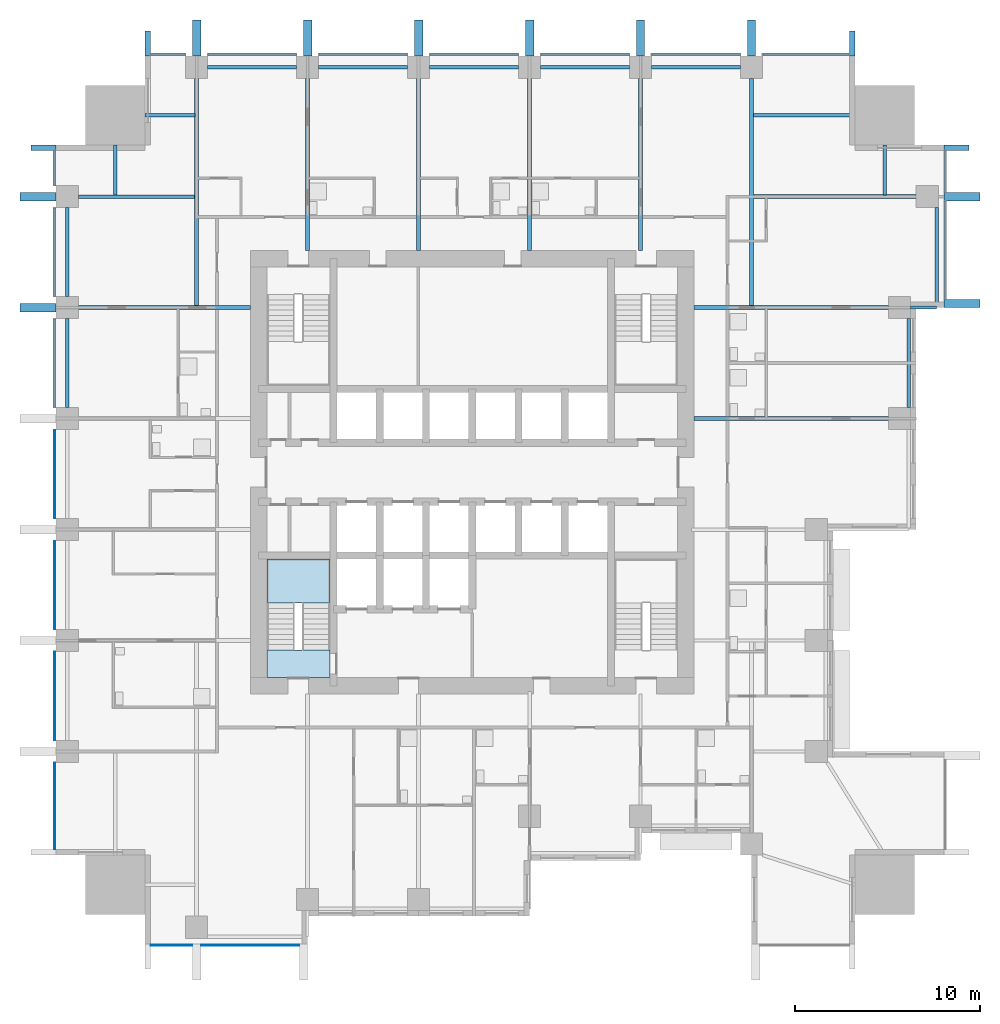
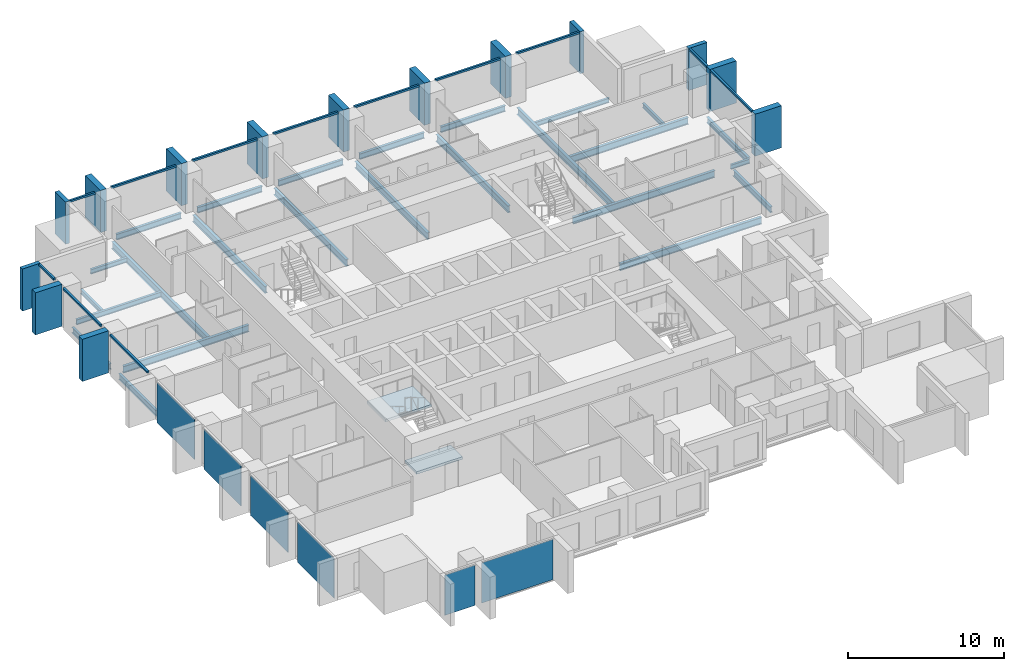
# One storey, part 2 of 10: 26 members, 25 beams, 6 plates, 2 slabs, 5 elements without a shape of their own.
"""IFC4 building model written with IfcOpenShell, lengths in metres."""

from ifc_helpers import new_model, si_unit, direction, frame, origin, origin_2d, place, context, subcontext, project, spatial, polyline, rectangle, i_section, outline, extrude, material, layer, layer_set, material_profile, profile_set, type_object, element, aggregate, save


model = new_model("IFC4")

# Units and contexts
model_context = context("Model", 3, precision=1e-05, world=origin(), true_north=direction((0.0, 1.0)))
body_context = subcontext(model_context, "Body", "Model", "MODEL_VIEW")
ifc_project = project(units=[si_unit("LENGTHUNIT", "METRE"), si_unit("AREAUNIT", "SQUARE_METRE"), si_unit("VOLUMEUNIT", "CUBIC_METRE"), si_unit("PLANEANGLEUNIT", "RADIAN"), si_unit("MASSUNIT", "GRAM", prefix="KILO")], contexts=[model_context])

# Site, building, storey
site_placement = place(None, origin())
site = spatial("IfcSite", under=ifc_project, at=site_placement, CompositionType="ELEMENT")
building_placement = place(site_placement, origin())
building = spatial("IfcBuilding", under=site, at=building_placement, Name="Amberfall Residences", CompositionType="ELEMENT")
storey_placement = place(building_placement, frame((0.0, 0.0, 63.10009765625)))
storey = spatial("IfcBuildingStorey", under=building, at=storey_placement, Name="L17", CompositionType="ELEMENT", Elevation=63.10009765625)

# Curtain wall, members
ifc_material_1 = material(Name="Bronze anodised aluminium and glass", Category="aluminium")
curtain_wall_type = type_object("IfcCurtainWallType", Name="Curtain wall CW1 tower unit", PredefinedType="USERDEFINED", material=ifc_material_1)
curtain_wall_1_placement = place(storey_placement, origin())
curtain_wall_1 = element("IfcCurtainWall", 1, at=curtain_wall_1_placement, inside=storey, type_object=curtain_wall_type, Name="Curtain wall L17 E E9", ObjectType="UNITISED CURTAIN WALL", PredefinedType="USERDEFINED")
ifc_material_2 = material(Name="Bronze anodised aluminium", Category="aluminium")
ifc_material_profile_1 = material_profile(ifc_material_2, rectangle(XDim=0.14990234375, YDim=0.14990234375, at=origin_2d()), Name="CW1 transom 150 x 150 bronze")
ifc_profile_set_1 = profile_set([ifc_material_profile_1], Name="Bronze anodised aluminium")
member_type_1 = type_object("IfcMemberType", Name="CW1 transom 150 x 150 bronze", PredefinedType="USERDEFINED", material=ifc_profile_set_1)
member_1_placement = place(storey_placement, frame((100.074951171875, 54.85009765625, 2.974853515625), z_axis=(0.0, 1.0, 0.0), x_axis=(-1.0, 0.0, 0.0)))
member_1 = element("IfcMember", 2, at=member_1_placement, type_object=member_type_1, Name="CW1 transom 1.1", ObjectType="TRANSOM", PredefinedType="USERDEFINED", context=body_context, shape_type="SweptSolid", body=[
    extrude(rectangle(XDim=0.14990234375, YDim=0.14990234375, at=origin_2d()), origin(), (0.0, 0.0, 1.0), 5.324951171875),
])
member_2_placement = place(storey_placement, frame((100.074951171875, 60.625, 2.974853515625), z_axis=(0.0, 1.0, 0.0), x_axis=(-1.0, 0.0, 0.0)))
member_2 = element("IfcMember", 3, at=member_2_placement, type_object=member_type_1, Name="CW1 transom 2.1", ObjectType="TRANSOM", PredefinedType="USERDEFINED", context=body_context, shape_type="SweptSolid", body=[
    extrude(rectangle(XDim=0.14990234375, YDim=0.14990234375, at=origin_2d()), origin(), (0.0, 0.0, 1.0), 2.27490234375),
])

curtain_wall_2_placement = place(storey_placement, origin())
curtain_wall_2 = element("IfcCurtainWall", 4, at=curtain_wall_2_placement, inside=storey, type_object=curtain_wall_type, Name="Curtain wall L17 N N1", ObjectType="UNITISED CURTAIN WALL", PredefinedType="USERDEFINED")
member_3_placement = place(storey_placement, frame((94.89990234375, 68.074951171875, 2.974853515625), z_axis=(-1.0, 0.0, 0.0), x_axis=(0.0, -1.0, 0.0)))
member_3 = element("IfcMember", 5, at=member_3_placement, type_object=member_type_1, Name="CW1 transom 1.1", ObjectType="TRANSOM", PredefinedType="USERDEFINED", context=body_context, shape_type="SweptSolid", body=[
    extrude(rectangle(XDim=0.14990234375, YDim=0.14990234375, at=origin_2d()), origin(), (0.0, 0.0, 1.0), 4.69482421875),
])
member_4_placement = place(storey_placement, frame((88.9951171875, 68.074951171875, 2.974853515625), z_axis=(-1.0, 0.0, 0.0), x_axis=(0.0, -1.0, 0.0)))
member_4 = element("IfcMember", 6, at=member_4_placement, type_object=member_type_1, Name="CW1 transom 2.1", ObjectType="TRANSOM", PredefinedType="USERDEFINED", context=body_context, shape_type="SweptSolid", body=[
    extrude(rectangle(XDim=0.14990234375, YDim=0.14990234375, at=origin_2d()), origin(), (0.0, 0.0, 1.0), 4.7900390625),
])
member_5_placement = place(storey_placement, frame((82.9951171875, 68.074951171875, 2.974853515625), z_axis=(-1.0, 0.0, 0.0), x_axis=(0.0, -1.0, 0.0)))
member_5 = element("IfcMember", 7, at=member_5_placement, type_object=member_type_1, Name="CW1 transom 3.1", ObjectType="TRANSOM", PredefinedType="USERDEFINED", context=body_context, shape_type="SweptSolid", body=[
    extrude(rectangle(XDim=0.14990234375, YDim=0.14990234375, at=origin_2d()), origin(), (0.0, 0.0, 1.0), 4.7900390625),
])
member_6_placement = place(storey_placement, frame((76.9951171875, 68.074951171875, 2.974853515625), z_axis=(-1.0, 0.0, 0.0), x_axis=(0.0, -1.0, 0.0)))
member_6 = element("IfcMember", 8, at=member_6_placement, type_object=member_type_1, Name="CW1 transom 4.1", ObjectType="TRANSOM", PredefinedType="USERDEFINED", context=body_context, shape_type="SweptSolid", body=[
    extrude(rectangle(XDim=0.14990234375, YDim=0.14990234375, at=origin_2d()), origin(), (0.0, 0.0, 1.0), 4.7900390625),
])
member_7_placement = place(storey_placement, frame((70.9951171875, 68.074951171875, 2.974853515625), z_axis=(-1.0, 0.0, 0.0), x_axis=(0.0, -1.0, 0.0)))
member_7 = element("IfcMember", 9, at=member_7_placement, type_object=member_type_1, Name="CW1 transom 5.1", ObjectType="TRANSOM", PredefinedType="USERDEFINED", context=body_context, shape_type="SweptSolid", body=[
    extrude(rectangle(XDim=0.14990234375, YDim=0.14990234375, at=origin_2d()), origin(), (0.0, 0.0, 1.0), 4.7900390625),
])
member_8_placement = place(storey_placement, frame((64.9951171875, 68.074951171875, 2.974853515625), z_axis=(-1.0, 0.0, 0.0), x_axis=(0.0, -1.0, 0.0)))
member_8 = element("IfcMember", 10, at=member_8_placement, type_object=member_type_1, Name="CW1 transom 6.1", ObjectType="TRANSOM", PredefinedType="USERDEFINED", context=body_context, shape_type="SweptSolid", body=[
    extrude(rectangle(XDim=0.14990234375, YDim=0.14990234375, at=origin_2d()), origin(), (0.0, 0.0, 1.0), 4.7900390625),
])
member_9_placement = place(storey_placement, frame((58.9951171875, 68.074951171875, 2.974853515625), z_axis=(-1.0, 0.0, 0.0), x_axis=(0.0, -1.0, 0.0)))
member_9 = element("IfcMember", 11, at=member_9_placement, type_object=member_type_1, Name="CW1 transom 7.1", ObjectType="TRANSOM", PredefinedType="USERDEFINED", context=body_context, shape_type="SweptSolid", body=[
    extrude(rectangle(XDim=0.14990234375, YDim=0.14990234375, at=origin_2d()), origin(), (0.0, 0.0, 1.0), 1.89501953125),
])

curtain_wall_3_placement = place(storey_placement, origin())
curtain_wall_3 = element("IfcCurtainWall", 12, at=curtain_wall_3_placement, inside=storey, type_object=curtain_wall_type, Name="Curtain wall L17 W W1", ObjectType="UNITISED CURTAIN WALL", PredefinedType="USERDEFINED")
member_10_placement = place(storey_placement, frame((51.925048828125, 62.89990234375, 2.974853515625), z_axis=(0.0, -1.0, 0.0), x_axis=(1.0, 0.0, 0.0)))
member_10 = element("IfcMember", 13, at=member_10_placement, type_object=member_type_1, Name="CW1 transom 1.1", ObjectType="TRANSOM", PredefinedType="USERDEFINED", context=body_context, shape_type="SweptSolid", body=[
    extrude(rectangle(XDim=0.14990234375, YDim=0.14990234375, at=origin_2d()), origin(), (0.0, 0.0, 1.0), 1.89501953125),
])
member_11_placement = place(storey_placement, frame((51.925048828125, 59.794921875, 2.974853515625), z_axis=(0.0, -1.0, 0.0), x_axis=(1.0, 0.0, 0.0)))
member_11 = element("IfcMember", 14, at=member_11_placement, type_object=member_type_1, Name="CW1 transom 2.1", ObjectType="TRANSOM", PredefinedType="USERDEFINED", context=body_context, shape_type="SweptSolid", body=[
    extrude(rectangle(XDim=0.14990234375, YDim=0.14990234375, at=origin_2d()), origin(), (0.0, 0.0, 1.0), 4.7900390625),
])
member_12_placement = place(storey_placement, frame((51.925048828125, 53.794921875, 2.974853515625), z_axis=(0.0, -1.0, 0.0), x_axis=(1.0, 0.0, 0.0)))
member_12 = element("IfcMember", 15, at=member_12_placement, type_object=member_type_1, Name="CW1 transom 3.1", ObjectType="TRANSOM", PredefinedType="USERDEFINED", context=body_context, shape_type="SweptSolid", body=[
    extrude(rectangle(XDim=0.14990234375, YDim=0.14990234375, at=origin_2d()), origin(), (0.0, 0.0, 1.0), 4.7900390625),
])

# Beam
ifc_material_3 = material(Name="Steel S355", Category="steel")
ifc_material_profile_2 = material_profile(ifc_material_3, i_section(OverallWidth=0.171142578125, OverallDepth=0.351318359375, WebThickness=0.007080078125, FlangeThickness=0.009765625, FilletRadius=0.01025390625, at=origin_2d()), Name="UB 356x171x45")
ifc_profile_set_2 = profile_set([ifc_material_profile_2], Name="Steel S355")
beam_type_1 = type_object("IfcBeamType", Name="Cantilever girder UB 356x171x45", PredefinedType="BEAM", material=ifc_profile_set_2)
beam_1_placement = place(storey_placement, frame((98.199951171875, 54.39990234375, -0.42578125), z_axis=(1.0, 0.0, 0.0), x_axis=(0.0, 1.0, 0.0)))
element("IfcBeam", 16, at=beam_1_placement, inside=storey, type_object=beam_type_1, Name="Cantilever girder B8 L17 21", PredefinedType="BEAM", context=body_context, shape_type="SweptSolid", body=[
    extrude(i_section(OverallWidth=0.171142578125, OverallDepth=0.351318359375, WebThickness=0.007080078125, FlangeThickness=0.009765625, FilletRadius=0.01025390625, at=origin_2d()), origin(), (0.0, 0.0, 1.0), 1.400146484375),
])

# Member
ifc_material_profile_3 = material_profile(ifc_material_2, rectangle(XDim=1.35009765625, YDim=0.300048828125, at=origin_2d()), Name="Corner fin 300 x 1350 bronze")
ifc_profile_set_3 = profile_set([ifc_material_profile_3], Name="Bronze anodised aluminium")
member_type_2 = type_object("IfcMemberType", Name="Corner fin 300 x 1350 bronze", PredefinedType="MULLION", material=ifc_profile_set_3)
member_13_placement = place(storey_placement, frame((100.675048828125, 63.050048828125, -0.25), z_axis=(0.0, 0.0, 1.0), x_axis=(-1.0, 0.0, 0.0)))
member_13 = element("IfcMember", 17, at=member_13_placement, type_object=member_type_2, Name="CW FIN 3", PredefinedType="MULLION", context=body_context, shape_type="SweptSolid", body=[
    extrude(rectangle(XDim=1.35009765625, YDim=0.300048828125, at=origin_2d()), origin(), (0.0, 0.0, 1.0), 3.2998046875),
])

member_14_placement = place(storey_placement, frame((95.050048828125, 68.675048828125, -0.25), z_axis=(0.0, 0.0, 1.0), x_axis=(0.0, -1.0, 0.0)))
member_14 = element("IfcMember", 18, at=member_14_placement, type_object=member_type_2, Name="CW FIN 1", PredefinedType="MULLION", context=body_context, shape_type="SweptSolid", body=[
    extrude(rectangle(XDim=1.35009765625, YDim=0.300048828125, at=origin_2d()), origin(), (0.0, 0.0, 1.0), 3.2998046875),
])

member_15_placement = place(storey_placement, frame((56.949951171875, 68.675048828125, -0.25), z_axis=(0.0, 0.0, 1.0), x_axis=(0.0, -1.0, 0.0)))
member_15 = element("IfcMember", 19, at=member_15_placement, type_object=member_type_2, Name="CW FIN 8", PredefinedType="MULLION", context=body_context, shape_type="SweptSolid", body=[
    extrude(rectangle(XDim=1.35009765625, YDim=0.300048828125, at=origin_2d()), origin(), (0.0, 0.0, 1.0), 3.2998046875),
])

member_16_placement = place(storey_placement, frame((51.324951171875, 63.050048828125, -0.25), z_axis=(0.0, 0.0, 1.0), x_axis=(1.0, 0.0, 0.0)))
member_16 = element("IfcMember", 20, at=member_16_placement, type_object=member_type_2, Name="CW FIN 1", PredefinedType="MULLION", context=body_context, shape_type="SweptSolid", body=[
    extrude(rectangle(XDim=1.35009765625, YDim=0.300048828125, at=origin_2d()), origin(), (0.0, 0.0, 1.0), 3.2998046875),
])

# Beams
ifc_material_profile_4 = material_profile(ifc_material_3, i_section(OverallWidth=0.18994140625, OverallDepth=0.453369140625, WebThickness=0.008544921875, FlangeThickness=0.0126953125, FilletRadius=0.01025390625, at=origin_2d()), Name="UB 457x191x67")
ifc_profile_set_4 = profile_set([ifc_material_profile_4], Name="Steel S355")
beam_type_2 = type_object("IfcBeamType", Name="Edge beam UB 457x191x67", PredefinedType="SPANDREL", material=ifc_profile_set_4)
beam_2_placement = place(storey_placement, frame((98.10009765625, 49.0, -0.476806640625), z_axis=(0.0, 1.0, 0.0), x_axis=(-1.0, 0.0, 0.0)))
element("IfcBeam", 21, at=beam_2_placement, inside=storey, type_object=beam_type_2, Name="Edge beam B1 L17 18", PredefinedType="SPANDREL", context=body_context, shape_type="SweptSolid", body=[
    extrude(i_section(OverallWidth=0.18994140625, OverallDepth=0.453369140625, WebThickness=0.008544921875, FlangeThickness=0.0126953125, FilletRadius=0.01025390625, at=origin_2d()), origin(), (0.0, 0.0, 1.0), 4.800048828125),
])
beam_3_placement = place(storey_placement, frame((99.60009765625, 54.47998046875, -0.476806640625), z_axis=(0.0, 1.0, 0.0), x_axis=(-1.0, 0.0, 0.0)))
element("IfcBeam", 22, at=beam_3_placement, inside=storey, type_object=beam_type_2, Name="Edge beam B1 L17 19", PredefinedType="SPANDREL", context=body_context, shape_type="SweptSolid", body=[
    extrude(i_section(OverallWidth=0.18994140625, OverallDepth=0.453369140625, WebThickness=0.008544921875, FlangeThickness=0.0126953125, FilletRadius=0.01025390625, at=origin_2d()), origin(), (0.0, 0.0, 1.0), 5.320068359375),
])
for number, where, z_axis, x_axis, name in (
    (23, (60.199951171875, 67.39990234375, -0.476806640625), (1.0, 0.0, 0.0), (0.0, 1.0, 0.0), "Edge beam B1 L17 28"),
    (24, (66.199951171875, 67.39990234375, -0.476806640625), (1.0, 0.0, 0.0), (0.0, 1.0, 0.0), "Edge beam B1 L17 29"),
    (25, (72.199951171875, 67.39990234375, -0.476806640625), (1.0, 0.0, 0.0), (0.0, 1.0, 0.0), "Edge beam B1 L17 30"),
    (26, (78.199951171875, 67.39990234375, -0.476806640625), (1.0, 0.0, 0.0), (0.0, 1.0, 0.0), "Edge beam B1 L17 31"),
    (27, (84.199951171875, 67.39990234375, -0.476806640625), (1.0, 0.0, 0.0), (0.0, 1.0, 0.0), "Edge beam B1 L17 32"),
    (28, (52.60009765625, 49.0, -0.476806640625), (0.0, 1.0, 0.0), (-1.0, 0.0, 0.0), "Edge beam B1 L17 42"),
    (29, (52.60009765625, 55.0, -0.476806640625), (0.0, 1.0, 0.0), (-1.0, 0.0, 0.0), "Edge beam B1 L17 43"),
):
    element("IfcBeam", number, at=place(storey_placement, frame(where, z_axis=z_axis, x_axis=x_axis)), inside=storey, type_object=beam_type_2, Name=name, PredefinedType="SPANDREL", context=body_context, shape_type="SweptSolid", body=[
        extrude(i_section(OverallWidth=0.18994140625, OverallDepth=0.453369140625, WebThickness=0.008544921875, FlangeThickness=0.0126953125, FilletRadius=0.01025390625, at=origin_2d()), origin(), (0.0, 0.0, 1.0), 4.800048828125),
    ])

# Member
ifc_material_profile_5 = material_profile(ifc_material_2, rectangle(XDim=1.949951171875, YDim=0.449951171875, at=origin_2d()), Name="Fin 450 x 1950 bronze")
ifc_profile_set_5 = profile_set([ifc_material_profile_5], Name="Bronze anodised aluminium")
member_type_3 = type_object("IfcMemberType", Name="Fin 450 x 1950 bronze", PredefinedType="MULLION", material=ifc_profile_set_5)
member_17_placement = place(storey_placement, frame((100.97509765625, 54.625, -0.25), z_axis=(0.0, 0.0, 1.0), x_axis=(-1.0, 0.0, 0.0)))
member_17 = element("IfcMember", 30, at=member_17_placement, type_object=member_type_3, Name="CW FIN 1", PredefinedType="MULLION", context=body_context, shape_type="SweptSolid", body=[
    extrude(rectangle(XDim=1.949951171875, YDim=0.449951171875, at=origin_2d()), origin(), (0.0, 0.0, 1.0), 3.2998046875),
])

member_18_placement = place(storey_placement, frame((100.97509765625, 60.39990234375, -0.25), z_axis=(0.0, 0.0, 1.0), x_axis=(-1.0, 0.0, 0.0)))
member_18 = element("IfcMember", 31, at=member_18_placement, type_object=member_type_3, Name="CW FIN 2", PredefinedType="MULLION", context=body_context, shape_type="SweptSolid", body=[
    extrude(rectangle(XDim=1.949951171875, YDim=0.449951171875, at=origin_2d()), origin(), (0.0, 0.0, 1.0), 3.2998046875),
])

aggregate(curtain_wall_1, [member_17, member_18, member_13, member_1, member_2])

member_19_placement = place(storey_placement, frame((89.60009765625, 68.97509765625, -0.25), z_axis=(0.0, 0.0, 1.0), x_axis=(0.0, -1.0, 0.0)))
member_19 = element("IfcMember", 32, at=member_19_placement, type_object=member_type_3, Name="CW FIN 2", PredefinedType="MULLION", context=body_context, shape_type="SweptSolid", body=[
    extrude(rectangle(XDim=1.949951171875, YDim=0.449951171875, at=origin_2d()), origin(), (0.0, 0.0, 1.0), 3.2998046875),
])

member_20_placement = place(storey_placement, frame((83.60009765625, 68.97509765625, -0.25), z_axis=(0.0, 0.0, 1.0), x_axis=(0.0, -1.0, 0.0)))
member_20 = element("IfcMember", 33, at=member_20_placement, type_object=member_type_3, Name="CW FIN 3", PredefinedType="MULLION", context=body_context, shape_type="SweptSolid", body=[
    extrude(rectangle(XDim=1.949951171875, YDim=0.449951171875, at=origin_2d()), origin(), (0.0, 0.0, 1.0), 3.2998046875),
])

member_21_placement = place(storey_placement, frame((77.60009765625, 68.97509765625, -0.25), z_axis=(0.0, 0.0, 1.0), x_axis=(0.0, -1.0, 0.0)))
member_21 = element("IfcMember", 34, at=member_21_placement, type_object=member_type_3, Name="CW FIN 4", PredefinedType="MULLION", context=body_context, shape_type="SweptSolid", body=[
    extrude(rectangle(XDim=1.949951171875, YDim=0.449951171875, at=origin_2d()), origin(), (0.0, 0.0, 1.0), 3.2998046875),
])

member_22_placement = place(storey_placement, frame((71.60009765625, 68.97509765625, -0.25), z_axis=(0.0, 0.0, 1.0), x_axis=(0.0, -1.0, 0.0)))
member_22 = element("IfcMember", 35, at=member_22_placement, type_object=member_type_3, Name="CW FIN 5", PredefinedType="MULLION", context=body_context, shape_type="SweptSolid", body=[
    extrude(rectangle(XDim=1.949951171875, YDim=0.449951171875, at=origin_2d()), origin(), (0.0, 0.0, 1.0), 3.2998046875),
])

member_23_placement = place(storey_placement, frame((65.60009765625, 68.97509765625, -0.25), z_axis=(0.0, 0.0, 1.0), x_axis=(0.0, -1.0, 0.0)))
member_23 = element("IfcMember", 36, at=member_23_placement, type_object=member_type_3, Name="CW FIN 6", PredefinedType="MULLION", context=body_context, shape_type="SweptSolid", body=[
    extrude(rectangle(XDim=1.949951171875, YDim=0.449951171875, at=origin_2d()), origin(), (0.0, 0.0, 1.0), 3.2998046875),
])

member_24_placement = place(storey_placement, frame((59.60009765625, 68.97509765625, -0.25), z_axis=(0.0, 0.0, 1.0), x_axis=(0.0, -1.0, 0.0)))
member_24 = element("IfcMember", 37, at=member_24_placement, type_object=member_type_3, Name="CW FIN 7", PredefinedType="MULLION", context=body_context, shape_type="SweptSolid", body=[
    extrude(rectangle(XDim=1.949951171875, YDim=0.449951171875, at=origin_2d()), origin(), (0.0, 0.0, 1.0), 3.2998046875),
])

aggregate(curtain_wall_2, [member_14, member_19, member_20, member_21, member_22, member_23, member_24, member_15, member_3, member_4, member_5, member_6, member_7, member_8, member_9])

member_25_placement = place(storey_placement, frame((51.02490234375, 60.39990234375, -0.25), z_axis=(0.0, 0.0, 1.0), x_axis=(1.0, 0.0, 0.0)))
member_25 = element("IfcMember", 38, at=member_25_placement, type_object=member_type_3, Name="CW FIN 2", PredefinedType="MULLION", context=body_context, shape_type="SweptSolid", body=[
    extrude(rectangle(XDim=1.949951171875, YDim=0.449951171875, at=origin_2d()), origin(), (0.0, 0.0, 1.0), 3.2998046875),
])

member_26_placement = place(storey_placement, frame((51.02490234375, 54.39990234375, -0.25), z_axis=(0.0, 0.0, 1.0), x_axis=(1.0, 0.0, 0.0)))
member_26 = element("IfcMember", 39, at=member_26_placement, type_object=member_type_3, Name="CW FIN 3", PredefinedType="MULLION", context=body_context, shape_type="SweptSolid", body=[
    extrude(rectangle(XDim=1.949951171875, YDim=0.449951171875, at=origin_2d()), origin(), (0.0, 0.0, 1.0), 3.2998046875),
])

# Beams
ifc_material_profile_6 = material_profile(ifc_material_3, i_section(OverallWidth=0.177734375, OverallDepth=0.402587890625, WebThickness=0.0078125, FlangeThickness=0.010986328125, FilletRadius=0.01025390625, at=origin_2d()), Name="UB 406x178x54")
ifc_profile_set_6 = profile_set([ifc_material_profile_6], Name="Steel S355")
beam_type_3 = type_object("IfcBeamType", Name="Floor girder UB 406x178x54", PredefinedType="BEAM", material=ifc_profile_set_6)
beam_4_placement = place(storey_placement, frame((53.199951171875, 60.39990234375, -0.451416015625), z_axis=(1.0, 0.0, 0.0), x_axis=(0.0, 1.0, 0.0)))
element("IfcBeam", 40, at=beam_4_placement, inside=storey, type_object=beam_type_3, Name="Floor girder B4 L17 49", PredefinedType="BEAM", context=body_context, shape_type="SweptSolid", body=[
    extrude(i_section(OverallWidth=0.177734375, OverallDepth=0.402587890625, WebThickness=0.0078125, FlangeThickness=0.010986328125, FilletRadius=0.01025390625, at=origin_2d()), origin(), (0.0, 0.0, 1.0), 6.280029296875),
])
ifc_material_profile_7 = material_profile(ifc_material_3, i_section(OverallWidth=0.210693359375, OverallDepth=0.53955078125, WebThickness=0.01171875, FlangeThickness=0.018798828125, FilletRadius=0.0126953125, at=origin_2d()), Name="UB 533x210x109")
ifc_profile_set_7 = profile_set([ifc_material_profile_7], Name="Steel S355")
beam_type_4 = type_object("IfcBeamType", Name="Floor girder UB 533x210x109", PredefinedType="BEAM", material=ifc_profile_set_7)
for number, where, z_axis, x_axis, name in (
    (41, (59.60009765625, 66.800048828125, -0.519775390625), (0.0, -1.0, 0.0), (1.0, 0.0, 0.0), "Floor girder B2 L17 33"),
    (42, (89.60009765625, 66.800048828125, -0.519775390625), (0.0, -1.0, 0.0), (1.0, 0.0, 0.0), "Floor girder B2 L17 38"),
):
    element("IfcBeam", number, at=place(storey_placement, frame(where, z_axis=z_axis, x_axis=x_axis)), inside=storey, type_object=beam_type_4, Name=name, PredefinedType="BEAM", context=body_context, shape_type="SweptSolid", body=[
        extrude(i_section(OverallWidth=0.210693359375, OverallDepth=0.53955078125, WebThickness=0.01171875, FlangeThickness=0.018798828125, FilletRadius=0.0126953125, at=origin_2d()), origin(), (0.0, 0.0, 1.0), 12.300537109375),
    ])
ifc_material_profile_8 = material_profile(ifc_material_3, i_section(OverallWidth=0.209228515625, OverallDepth=0.533203125, WebThickness=0.010009765625, FlangeThickness=0.015625, FilletRadius=0.0126953125, at=origin_2d()), Name="UB 533x210x92")
ifc_profile_set_8 = profile_set([ifc_material_profile_8], Name="Steel S355")
beam_type_5 = type_object("IfcBeamType", Name="Floor girder UB 533x210x92", PredefinedType="BEAM", material=ifc_profile_set_8)
for number, where, z_axis, x_axis, name in (
    (43, (97.0, 48.39990234375, -0.5166015625), (-1.0, 0.0, 0.0), (0.0, -1.0, 0.0), "Floor girder B3 L17 25"),
    (44, (97.0, 54.39990234375, -0.5166015625), (-1.0, 0.0, 0.0), (0.0, -1.0, 0.0), "Floor girder B3 L17 26"),
):
    element("IfcBeam", number, at=place(storey_placement, frame(where, z_axis=z_axis, x_axis=x_axis)), inside=storey, type_object=beam_type_5, Name=name, PredefinedType="BEAM", context=body_context, shape_type="SweptSolid", body=[
        extrude(i_section(OverallWidth=0.209228515625, OverallDepth=0.533203125, WebThickness=0.010009765625, FlangeThickness=0.015625, FilletRadius=0.0126953125, at=origin_2d()), origin(), (0.0, 0.0, 1.0), 10.5),
    ])
beam_5_placement = place(storey_placement, frame((98.5, 60.39990234375, -0.5166015625), z_axis=(-1.0, 0.0, 0.0), x_axis=(0.0, -1.0, 0.0)))
element("IfcBeam", 45, at=beam_5_placement, inside=storey, type_object=beam_type_5, Name="Floor girder B3 L17 27", PredefinedType="BEAM", context=body_context, shape_type="SweptSolid", body=[
    extrude(i_section(OverallWidth=0.209228515625, OverallDepth=0.533203125, WebThickness=0.010009765625, FlangeThickness=0.015625, FilletRadius=0.0126953125, at=origin_2d()), origin(), (0.0, 0.0, 1.0), 8.780029296875),
])
for number, where, z_axis, x_axis, name in (
    (46, (65.60009765625, 66.800048828125, -0.5166015625), (0.0, -1.0, 0.0), (1.0, 0.0, 0.0), "Floor girder B3 L17 34"),
    (47, (71.60009765625, 66.800048828125, -0.5166015625), (0.0, -1.0, 0.0), (1.0, 0.0, 0.0), "Floor girder B3 L17 35"),
    (48, (77.60009765625, 66.800048828125, -0.5166015625), (0.0, -1.0, 0.0), (1.0, 0.0, 0.0), "Floor girder B3 L17 36"),
    (49, (83.60009765625, 66.800048828125, -0.5166015625), (0.0, -1.0, 0.0), (1.0, 0.0, 0.0), "Floor girder B3 L17 37"),
    (50, (53.199951171875, 54.39990234375, -0.5166015625), (1.0, 0.0, 0.0), (0.0, 1.0, 0.0), "Floor girder B3 L17 48"),
):
    element("IfcBeam", number, at=place(storey_placement, frame(where, z_axis=z_axis, x_axis=x_axis)), inside=storey, type_object=beam_type_5, Name=name, PredefinedType="BEAM", context=body_context, shape_type="SweptSolid", body=[
        extrude(i_section(OverallWidth=0.209228515625, OverallDepth=0.533203125, WebThickness=0.010009765625, FlangeThickness=0.015625, FilletRadius=0.0126953125, at=origin_2d()), origin(), (0.0, 0.0, 1.0), 9.300048828125),
    ])
ifc_material_profile_9 = material_profile(ifc_material_3, i_section(OverallWidth=0.171142578125, OverallDepth=0.351318359375, WebThickness=0.007080078125, FlangeThickness=0.009765625, FilletRadius=0.01025390625, at=origin_2d()), Name="UB 356x171x45")
ifc_profile_set_9 = profile_set([ifc_material_profile_9], Name="Steel S355")
beam_type_6 = type_object("IfcBeamType", Name="Link beam UB 356x171x45", PredefinedType="BEAM", material=ifc_profile_set_9)
beam_6_placement = place(storey_placement, frame((95.199951171875, 64.800048828125, -0.42578125), z_axis=(-1.0, 0.0, 0.0), x_axis=(0.0, -1.0, 0.0)))
element("IfcBeam", 51, at=beam_6_placement, inside=storey, type_object=beam_type_6, Name="Link beam B7 L17 54", PredefinedType="BEAM", context=body_context, shape_type="SweptSolid", body=[
    extrude(i_section(OverallWidth=0.171142578125, OverallDepth=0.351318359375, WebThickness=0.007080078125, FlangeThickness=0.009765625, FilletRadius=0.01025390625, at=origin_2d()), origin(), (0.0, 0.0, 1.0), 5.504638671875),
])
beam_7_placement = place(storey_placement, frame((96.800048828125, 63.199951171875, -0.42578125), z_axis=(0.0, -1.0, 0.0), x_axis=(1.0, 0.0, 0.0)))
element("IfcBeam", 52, at=beam_7_placement, inside=storey, type_object=beam_type_6, Name="Link beam B7 L17 55", PredefinedType="BEAM", context=body_context, shape_type="SweptSolid", body=[
    extrude(i_section(OverallWidth=0.171142578125, OverallDepth=0.351318359375, WebThickness=0.007080078125, FlangeThickness=0.009765625, FilletRadius=0.01025390625, at=origin_2d()), origin(), (0.0, 0.0, 1.0), 2.705322265625),
])
beam_8_placement = place(storey_placement, frame((56.800048828125, 64.800048828125, -0.42578125), z_axis=(1.0, 0.0, 0.0), x_axis=(0.0, 1.0, 0.0)))
element("IfcBeam", 53, at=beam_8_placement, inside=storey, type_object=beam_type_6, Name="Link beam B7 L17 56", PredefinedType="BEAM", context=body_context, shape_type="SweptSolid", body=[
    extrude(i_section(OverallWidth=0.171142578125, OverallDepth=0.351318359375, WebThickness=0.007080078125, FlangeThickness=0.009765625, FilletRadius=0.01025390625, at=origin_2d()), origin(), (0.0, 0.0, 1.0), 2.70458984375),
])
beam_9_placement = place(storey_placement, frame((55.199951171875, 63.199951171875, -0.42578125), z_axis=(0.0, -1.0, 0.0), x_axis=(1.0, 0.0, 0.0)))
element("IfcBeam", 54, at=beam_9_placement, inside=storey, type_object=beam_type_6, Name="Link beam B7 L17 57", PredefinedType="BEAM", context=body_context, shape_type="SweptSolid", body=[
    extrude(i_section(OverallWidth=0.171142578125, OverallDepth=0.351318359375, WebThickness=0.007080078125, FlangeThickness=0.009765625, FilletRadius=0.01025390625, at=origin_2d()), origin(), (0.0, 0.0, 1.0), 2.720947265625),
])

# Curtain wall, plates
curtain_wall_4_placement = place(storey_placement, origin())
curtain_wall_4 = element("IfcCurtainWall", 55, at=curtain_wall_4_placement, inside=storey, type_object=curtain_wall_type, Name="Curtain wall L17 S S1", ObjectType="UNITISED CURTAIN WALL", PredefinedType="USERDEFINED")
ifc_material_4 = material(Name="Tinted double glazed unit", Category="glass")
ifc_layer_1 = layer(ifc_material_4, 0.035888671875)
ifc_layer_set_1 = layer_set([ifc_layer_1], Name="CW1 panel 36 glazing")
plate_type = type_object("IfcPlateType", Name="CW1 panel 36 glazing", PredefinedType="CURTAIN_PANEL", material=ifc_layer_set_1)
plate_1_placement = place(storey_placement, frame((58.237548828125, 19.925048828125, -0.25), z_axis=(0.0, 0.0, 1.0), x_axis=(1.0, 0.0, 0.0)))
plate_1 = element("IfcPlate", 56, at=plate_1_placement, type_object=plate_type, Name="CW1 panel 1.1", PredefinedType="CURTAIN_PANEL", context=body_context, shape_type="SweptSolid", body=[
    extrude(rectangle(XDim=2.2509765625, YDim=0.035888671875, at=origin_2d()), origin(), (0.0, 0.0, 1.0), 3.14990234375),
])
plate_2_placement = place(storey_placement, frame((62.487548828125, 19.925048828125, -0.25), z_axis=(0.0, 0.0, 1.0), x_axis=(1.0, 0.0, 0.0)))
plate_2 = element("IfcPlate", 57, at=plate_2_placement, type_object=plate_type, Name="CW1 panel 2.1", PredefinedType="CURTAIN_PANEL", context=body_context, shape_type="SweptSolid", body=[
    extrude(rectangle(XDim=5.301025390625, YDim=0.035888671875, at=origin_2d()), origin(), (0.0, 0.0, 1.0), 3.14990234375),
])
aggregate(curtain_wall_4, [plate_1, plate_2])

# Plate
plate_3_placement = place(storey_placement, frame((51.925048828125, 45.39990234375, -0.25), z_axis=(0.0, 0.0, 1.0), x_axis=(0.0, -1.0, 0.0)))
plate_3 = element("IfcPlate", 58, at=plate_3_placement, type_object=plate_type, Name="CW1 panel 4.1", PredefinedType="CURTAIN_PANEL", context=body_context, shape_type="SweptSolid", body=[
    extrude(rectangle(XDim=4.76611328125, YDim=0.035888671875, at=origin_2d()), origin(), (0.0, 0.0, 1.0), 3.14990234375),
])

plate_4_placement = place(storey_placement, frame((51.925048828125, 39.39990234375, -0.25), z_axis=(0.0, 0.0, 1.0), x_axis=(0.0, -1.0, 0.0)))
plate_4 = element("IfcPlate", 59, at=plate_4_placement, type_object=plate_type, Name="CW1 panel 5.1", PredefinedType="CURTAIN_PANEL", context=body_context, shape_type="SweptSolid", body=[
    extrude(rectangle(XDim=4.76611328125, YDim=0.035888671875, at=origin_2d()), origin(), (0.0, 0.0, 1.0), 3.14990234375),
])

plate_5_placement = place(storey_placement, frame((51.925048828125, 33.39990234375, -0.25), z_axis=(0.0, 0.0, 1.0), x_axis=(0.0, -1.0, 0.0)))
plate_5 = element("IfcPlate", 60, at=plate_5_placement, type_object=plate_type, Name="CW1 panel 6.1", PredefinedType="CURTAIN_PANEL", context=body_context, shape_type="SweptSolid", body=[
    extrude(rectangle(XDim=4.76611328125, YDim=0.035888671875, at=origin_2d()), origin(), (0.0, 0.0, 1.0), 3.14990234375),
])

plate_6_placement = place(storey_placement, frame((51.925048828125, 27.447509765625, -0.25), z_axis=(0.0, 0.0, 1.0), x_axis=(0.0, -1.0, 0.0)))
plate_6 = element("IfcPlate", 61, at=plate_6_placement, type_object=plate_type, Name="CW1 panel 7.1", PredefinedType="CURTAIN_PANEL", context=body_context, shape_type="SweptSolid", body=[
    extrude(rectangle(XDim=4.6708984375, YDim=0.035888671875, at=origin_2d()), origin(), (0.0, 0.0, 1.0), 3.14990234375),
])

aggregate(curtain_wall_3, [member_16, member_25, member_26, member_10, member_11, member_12, plate_3, plate_4, plate_5, plate_6])

# Stair, slabs
ifc_material_5 = material(Name="Concrete C40", Category="concrete")
stair_type = type_object("IfcStairType", Name="Exit stair 20 risers 165.0 mm", PredefinedType="HALF_TURN_STAIR", material=ifc_material_5)
stair_placement = place(storey_placement, origin())
stair = element("IfcStair", 62, at=stair_placement, inside=storey, type_object=stair_type, Name="L17 Exit stair 1", PredefinedType="HALF_TURN_STAIR")
ifc_layer_2 = layer(ifc_material_5, 0.199951171875)
ifc_layer_set_2 = layer_set([ifc_layer_2], Name="Stair landing 200")
slab_type = type_object("IfcSlabType", Name="Stair landing 200", PredefinedType="LANDING", material=ifc_layer_set_2)
slab_1_placement = place(storey_placement, frame((0.0, 0.0, 1.449951171875)))
slab_1 = element("IfcSlab", 63, at=slab_1_placement, type_object=slab_type, Name="ST3 landing 1", PredefinedType="LANDING", context=body_context, shape_type="SweptSolid", body=[
    extrude(outline(polyline([(66.800048828125, 38.419921875), (66.800048828125, 40.800048828125), (63.39990234375, 40.800048828125), (63.39990234375, 38.419921875), (66.800048828125, 38.419921875)])), origin(), (0.0, 0.0, 1.0), 0.199951171875),
])
slab_2_placement = place(storey_placement, frame((0.0, 0.0, -0.2001953125)))
slab_2 = element("IfcSlab", 64, at=slab_2_placement, type_object=slab_type, Name="ST3 landing 2", PredefinedType="LANDING", context=body_context, shape_type="SweptSolid", body=[
    extrude(outline(polyline([(66.800048828125, 34.39990234375), (66.800048828125, 35.89990234375), (63.39990234375, 35.89990234375), (63.39990234375, 34.39990234375), (66.800048828125, 34.39990234375)])), origin(), (0.0, 0.0, 1.0), 0.2001953125),
])
aggregate(stair, [slab_1, slab_2])

save(model, "model.ifc")
